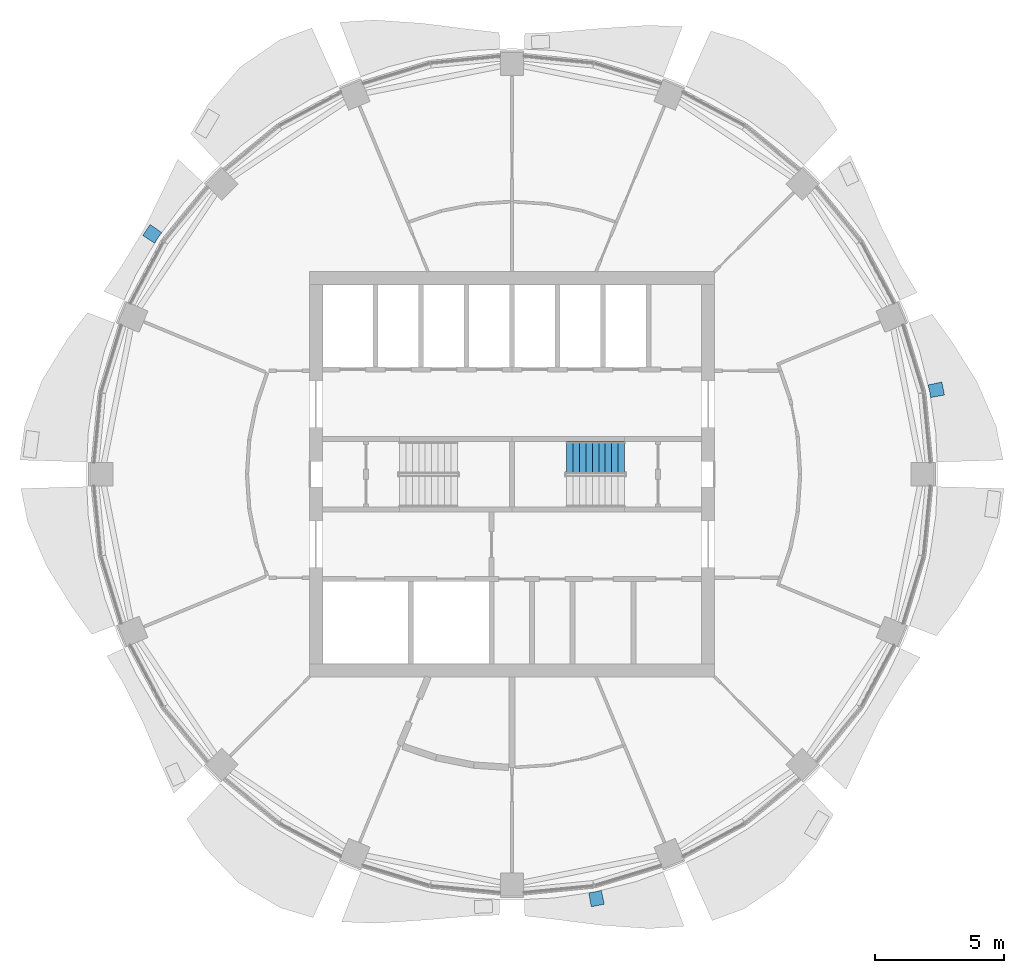
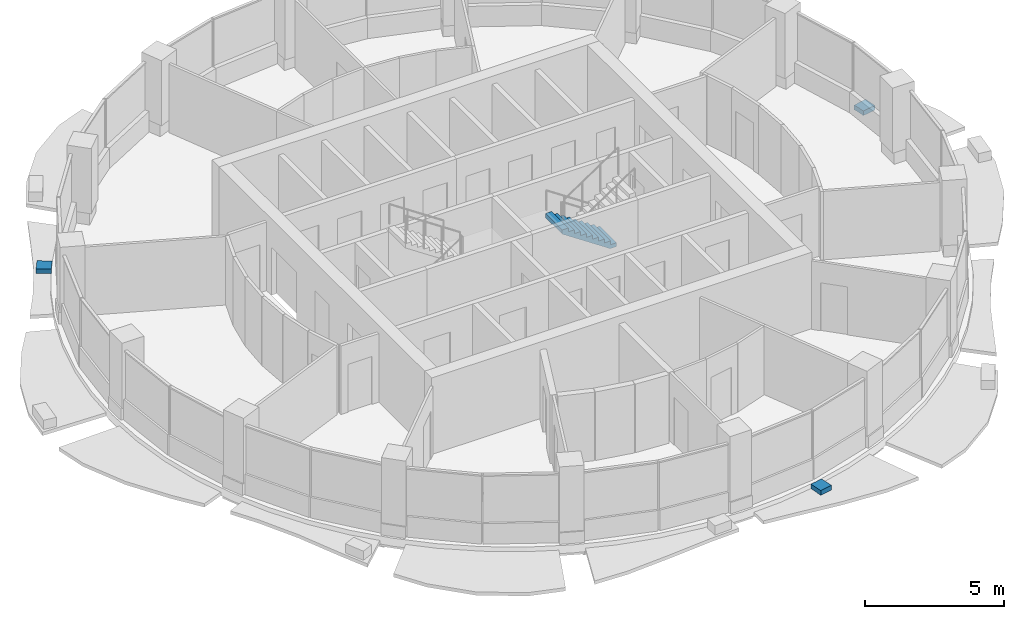
# One storey, part 11 of 15: 3 discrete accessories, 1 stair flight, 1 element without a shape of its own.
"""IFC4 building model written with IfcOpenShell, lengths in metres."""

import ifcopenshell
import ifcopenshell.guid

model = None  # the IFC model being written
_history = None  # IfcOwnerHistory: only IFC2X3 demands one
_inside = {}  # id of a spatial element -> (the spatial element, [elements in it])
_under = {}  # id of a project, library or spatial element -> (it, [spatial elements below it])
_declared = {}  # id of a project -> (the project, [libraries it declares])
_typed = {}  # id of a type object -> (the type object, [elements of that type])
_made_of = {}  # id of a material, layer set ... -> (it, [elements and type objects made of it])


def new_model(schema):
    """Start an empty IFC model of exactly this schema.

    Asked for "IFC4X3", IfcOpenShell would pick the latest addendum, in which some entities
    have other attributes; the version numbers below select the first issue.
    IFC2X3 requires an IfcOwnerHistory on every rooted entity: one is made here for all.
    """
    global model, _history
    if schema == "IFC4X3":
        model = ifcopenshell.file(schema_version=(4, 3, 0, 0))
    else:
        model = ifcopenshell.file(schema=schema)
    _inside.clear()
    _under.clear()
    _declared.clear()
    _typed.clear()
    _made_of.clear()
    _history = None
    if model.schema == "IFC2X3":
        org = make("IfcOrganization", Name="unknown")
        user = make(
            "IfcPersonAndOrganization",
            ThePerson=make("IfcPerson", FamilyName="unknown"),
            TheOrganization=org,
        )
        app = make(
            "IfcApplication",
            ApplicationDeveloper=org,
            Version="unknown",
            ApplicationFullName="unknown",
            ApplicationIdentifier="unknown",
        )
        _history = make(
            "IfcOwnerHistory",
            OwningUser=user,
            OwningApplication=app,
            ChangeAction="ADDED",
            CreationDate=0,
        )
    return model


def make(cls, **values):
    """One entity of the class cls with the attributes given. An attribute that is None is left unset."""
    return model.create_entity(
        cls, **{name: value for name, value in values.items() if value is not None}
    )


def rooted(cls, **values):
    """An entity with a GlobalId (a new one), such as an element, a storey or a relation."""
    return make(cls, GlobalId=ifcopenshell.guid.new(), OwnerHistory=_history, **values)


def si_unit(unit_type, name, prefix=None):
    """IfcSIUnit, for example si_unit("LENGTHUNIT", "METRE", prefix="MILLI")."""
    return make("IfcSIUnit", UnitType=unit_type, Prefix=prefix, Name=name)


def assignment(units):
    """IfcUnitAssignment: the units of a project."""
    return None if units is None else make("IfcUnitAssignment", Units=units)


def point(xyz):
    """IfcCartesianPoint."""
    return None if xyz is None else make("IfcCartesianPoint", Coordinates=xyz)


def direction(xyz):
    """IfcDirection."""
    return None if xyz is None else make("IfcDirection", DirectionRatios=xyz)


def frame(location, z_axis=None, x_axis=None):
    """IfcAxis2Placement3D, a coordinate frame: its origin and axes. An axis left out is left unset."""
    return make(
        "IfcAxis2Placement3D",
        Location=point(location),
        Axis=direction(z_axis),
        RefDirection=direction(x_axis),
    )


def origin():
    """The frame at (0, 0, 0) with its axes left unset."""
    return frame((0.0, 0.0, 0.0))


def place(relative_to, where):
    """IfcLocalPlacement: puts the frame where relative to a parent placement (None: the world)."""
    return make(
        "IfcLocalPlacement", PlacementRelTo=relative_to, RelativePlacement=where
    )


def context(
    kind, dimensions, precision=None, world=None, true_north=None, identifier=None
):
    """IfcGeometricRepresentationContext, for example the 3D "Model" context."""
    return make(
        "IfcGeometricRepresentationContext",
        ContextIdentifier=identifier,
        ContextType=kind,
        CoordinateSpaceDimension=dimensions,
        Precision=precision,
        WorldCoordinateSystem=world,
        TrueNorth=true_north,
    )


def subcontext(parent, identifier, kind, view, scale=None):
    """IfcGeometricRepresentationSubContext, for example "Body" below "Model"."""
    return make(
        "IfcGeometricRepresentationSubContext",
        ContextIdentifier=identifier,
        ContextType=kind,
        ParentContext=parent,
        TargetScale=scale,
        TargetView=view,
    )


def project(units=None, contexts=None):
    """IfcProject with its units and contexts."""
    return rooted(
        "IfcProject",
        Name="project",
        RepresentationContexts=contexts,
        UnitsInContext=assignment(units),
    )


def spatial(cls, under=None, at=None, **own):
    """A site, building, storey or space (cls), placed at a placement, below another one or the project."""
    s = rooted(cls, ObjectPlacement=at, **own)
    if under is not None:
        _under.setdefault(under.id(), (under, []))[1].append(s)
    return s


def polyline(points):
    """IfcPolyline through the points."""
    return make("IfcPolyline", Points=[point(p) for p in points])


def outline(outer, holes=None, kind="AREA"):
    """IfcArbitraryClosedProfileDef: a profile drawn as a closed curve; with holes, ...WithVoids."""
    if holes is None:
        return make("IfcArbitraryClosedProfileDef", ProfileType=kind, OuterCurve=outer)
    return make(
        "IfcArbitraryProfileDefWithVoids",
        ProfileType=kind,
        OuterCurve=outer,
        InnerCurves=holes,
    )


def extrude(swept, where, along, depth):
    """IfcExtrudedAreaSolid: the profile swept, set in the frame where, extruded along a direction by depth."""
    return make(
        "IfcExtrudedAreaSolid",
        SweptArea=swept,
        Position=where,
        ExtrudedDirection=direction(along),
        Depth=depth,
    )


def shape(context_of_items, identifier, shape_type, items):
    """IfcShapeRepresentation: the items that make up one representation, for example the "Body"."""
    return make(
        "IfcShapeRepresentation",
        ContextOfItems=context_of_items,
        RepresentationIdentifier=identifier,
        RepresentationType=shape_type,
        Items=items,
    )


def material(Name=None, Category=None):
    """IfcMaterial."""
    return make("IfcMaterial", Name=Name, Category=Category)


def made_of(thing, what):
    """Note that an element or type object is made of a material, layer set ...; save() writes the relation."""
    if what is not None:
        _made_of.setdefault(what.id(), (what, []))[1].append(thing)
    return thing


def type_object(cls, material=None, **own):
    """A type object (cls), such as IfcWallType, which elements share."""
    return made_of(rooted(cls, **own), material)


def element(
    cls,
    number,
    at=None,
    inside=None,
    cuts=None,
    type_object=None,
    material=None,
    context=None,
    identifier="Body",
    shape_type=None,
    held_by="IfcProductDefinitionShape",
    body=None,
    shapes=None,
    **own,
):
    """One element of the class cls, such as IfcWall. Its Tag is "e" and its number.

    at: its placement. inside: the storey or other place that contains it. cuts: it is an
    opening in that element (IfcRelVoidsElement). A single representation is given by context,
    identifier, shape_type and body (its items); several are given by shapes. held_by: the class
    of the entity that holds the representations. save() writes the other relations.
    """
    e = rooted(cls, Tag="e%d" % number, ObjectPlacement=at, **own)
    if body is not None:
        shapes = [shape(context, identifier, shape_type, body)]
    if shapes is not None:
        e.Representation = make(held_by, Representations=shapes)
    if inside is not None:
        _inside.setdefault(inside.id(), (inside, []))[1].append(e)
    if cuts is not None:
        rooted(
            "IfcRelVoidsElement", RelatingBuildingElement=cuts, RelatedOpeningElement=e
        )
    if type_object is not None:
        _typed.setdefault(type_object.id(), (type_object, []))[1].append(e)
    return made_of(e, material)


def aggregate(whole, parts):
    """IfcRelAggregates: a whole, such as a stair, and the parts it consists of."""
    return rooted("IfcRelAggregates", RelatingObject=whole, RelatedObjects=parts)


def save(model, path):
    """Write the relations noted so far, then the file.

    IfcRelAggregates (storeys below a building ...), IfcRelContainedInSpatialStructure (elements
    in a storey), IfcRelDefinesByType, IfcRelAssociatesMaterial and IfcRelDeclares: one each for
    every whole, place, type object, material and project.
    """
    for whole, parts in _under.values():
        aggregate(whole, parts)
    for where, things in _inside.values():
        rooted(
            "IfcRelContainedInSpatialStructure",
            RelatedElements=things,
            RelatingStructure=where,
        )
    for kind, things in _typed.values():
        rooted("IfcRelDefinesByType", RelatedObjects=things, RelatingType=kind)
    for what, things in _made_of.values():
        rooted("IfcRelAssociatesMaterial", RelatedObjects=things, RelatingMaterial=what)
    for by, libraries in _declared.values():
        rooted("IfcRelDeclares", RelatingContext=by, RelatedDefinitions=libraries)
    model.write(path)


model = new_model("IFC4")

# Units and contexts
model_context = context("Model", 3, precision=1e-05, world=origin(), true_north=direction((0.0, 1.0)))
body_context = subcontext(model_context, "Body", "Model", "MODEL_VIEW")
ifc_project = project(units=[si_unit("LENGTHUNIT", "METRE"), si_unit("AREAUNIT", "SQUARE_METRE"), si_unit("VOLUMEUNIT", "CUBIC_METRE"), si_unit("PLANEANGLEUNIT", "RADIAN"), si_unit("MASSUNIT", "GRAM", prefix="KILO")], contexts=[model_context])

# Site, building, storey
site_placement = place(None, origin())
site = spatial("IfcSite", under=ifc_project, at=site_placement, CompositionType="ELEMENT")
building_placement = place(site_placement, origin())
building = spatial("IfcBuilding", under=site, at=building_placement, Name="Polderwave Tower", CompositionType="ELEMENT")
storey_placement = place(building_placement, frame((0.0, 0.0, 207.75)))
storey = spatial("IfcBuildingStorey", under=building, at=storey_placement, Name="L56", CompositionType="ELEMENT", Elevation=207.75)

# Stair, stair flight
ifc_material_1 = material(Name="Concrete C40/50", Category="concrete")
stair_type = type_object("IfcStairType", Name="Exit stair 1200 x 20 risers", PredefinedType="HALF_TURN_STAIR", material=ifc_material_1)
stair_placement = place(storey_placement, origin())
stair = element("IfcStair", 1, at=stair_placement, inside=storey, type_object=stair_type, Name="L56 Exit stair B", PredefinedType="HALF_TURN_STAIR")
stair_flight_type = type_object("IfcStairFlightType", Name="Stair flight 1200", PredefinedType="STRAIGHT", material=ifc_material_1)
stair_flight_placement = place(storey_placement, frame((4.3740234375, 0.675048828125, 0.0), z_axis=(0.0, 0.0, 1.0), x_axis=(-1.0, 0.0, 0.0)))
stair_flight = element("IfcStairFlight", 2, at=stair_flight_placement, type_object=stair_flight_type, Name="ST-B flight 1", NumberOfRisers=10, NumberOfTreads=9, PredefinedType="STRAIGHT", RiserHeight=0.1675, TreadLength=0.25, context=body_context, shape_type="SweptSolid", body=[
    extrude(outline(polyline([(0.0, 0.0), (0.0, 0.16748046875), (0.25, 0.16748046875), (0.25, 0.3349609375), (0.5, 0.3349609375), (0.5, 0.50244140625), (0.75, 0.50244140625), (0.75, 0.669921875), (1.0, 0.669921875), (1.0, 0.83740234375), (1.25, 0.83740234375), (1.25, 1.0048828125), (1.5, 1.0048828125), (1.5, 1.172607421875), (1.75, 1.172607421875), (1.75, 1.340087890625), (2.0, 1.340087890625), (2.0, 1.507568359375), (2.25, 1.507568359375), (2.25, 1.675048828125), (2.25, 1.3271484375), (0.269287109375, 0.0), (0.0, 0.0)])), frame((0.0, 0.60009765625, 0.0), z_axis=(0.0, -1.0, 0.0), x_axis=(1.0, 0.0, 0.0)), (0.0, 0.0, 1.0), 1.199951171875),
])
aggregate(stair, [stair_flight])

# Discrete accessories
ifc_material_2 = material(Name="Steel S355", Category="steel")
discrete_accessory_type = type_object("IfcDiscreteAccessoryType", Name="Band bracket pad", PredefinedType="BRACKET", material=ifc_material_2)
discrete_accessory_1_placement = place(storey_placement, frame((0.0, 0.0, -0.199951171875)))
element("IfcDiscreteAccessory", 3, at=discrete_accessory_1_placement, inside=storey, type_object=discrete_accessory_type, Name="Band bracket L56 1", PredefinedType="BRACKET", context=body_context, shape_type="SweptSolid", body=[
    extrude(outline(polyline([(16.268798828125, 2.9814453125), (16.23193359375, 3.228759765625), (16.17138671875, 3.47119140625), (16.708984375, 3.586669921875), (16.809814453125, 3.08056640625), (16.268798828125, 2.9814453125)])), origin(), (0.0, 0.0, 1.0), 0.199951171875),
])
discrete_accessory_2_placement = place(storey_placement, frame((0.0, 0.0, -0.199951171875)))
element("IfcDiscreteAccessory", 4, at=discrete_accessory_2_placement, inside=storey, type_object=discrete_accessory_type, Name="Band bracket L56 7", PredefinedType="BRACKET", context=body_context, shape_type="SweptSolid", body=[
    extrude(outline(polyline([(-13.61181640625, 9.3955078125), (-13.7607421875, 9.194580078125), (-13.889404296875, 8.980224609375), (-14.351318359375, 9.27880859375), (-14.064453125, 9.7080078125), (-13.61181640625, 9.3955078125)])), origin(), (0.0, 0.0, 1.0), 0.199951171875),
])
discrete_accessory_3_placement = place(storey_placement, frame((0.0, 0.0, -0.199951171875)))
element("IfcDiscreteAccessory", 5, at=discrete_accessory_3_placement, inside=storey, type_object=discrete_accessory_type, Name="Band bracket L56 13", PredefinedType="BRACKET", context=body_context, shape_type="SweptSolid", body=[
    extrude(outline(polyline([(2.9814453125, -16.268798828125), (3.228759765625, -16.23193359375), (3.47119140625, -16.17138671875), (3.586669921875, -16.708984375), (3.08056640625, -16.809814453125), (2.9814453125, -16.268798828125)])), origin(), (0.0, 0.0, 1.0), 0.199951171875),
])

save(model, "model.ifc")
